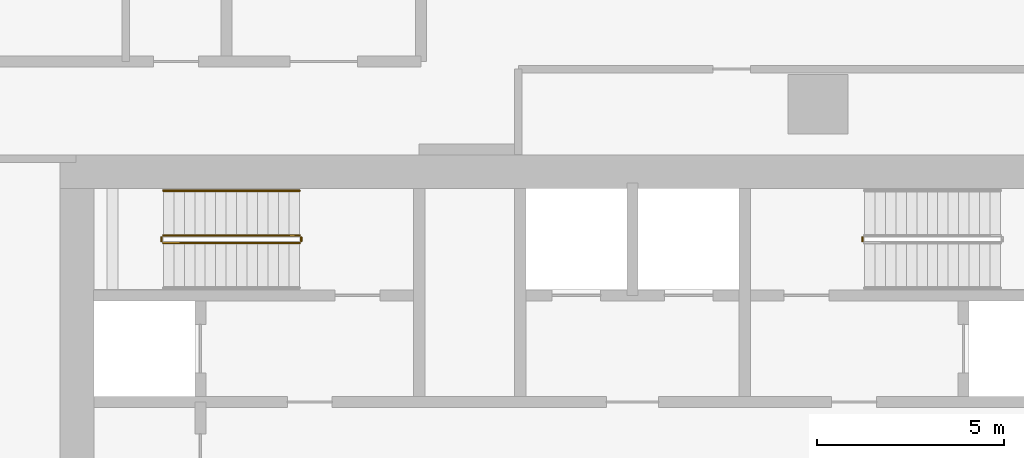
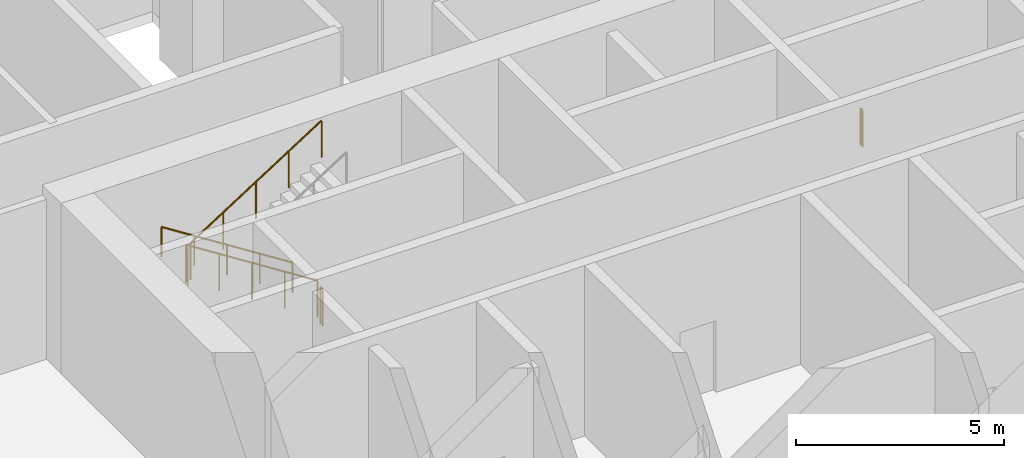
# One storey, part 22 of 33: 6 railings.
"""IFC4 building model written with IfcOpenShell, lengths in metres."""

from ifc_helpers import new_model, si_unit, direction, frame, origin, origin_2d, place, context, subcontext, project, spatial, circle, extrude, material, type_object, element, save


model = new_model("IFC4")

# Units and contexts
model_context = context("Model", 3, precision=1e-05, world=origin(), true_north=direction((0.0, 1.0)))
body_context = subcontext(model_context, "Body", "Model", "MODEL_VIEW")
ifc_project = project(units=[si_unit("LENGTHUNIT", "METRE"), si_unit("AREAUNIT", "SQUARE_METRE"), si_unit("VOLUMEUNIT", "CUBIC_METRE"), si_unit("PLANEANGLEUNIT", "RADIAN"), si_unit("MASSUNIT", "GRAM", prefix="KILO")], contexts=[model_context])

# Site, building, storey
site_placement = place(None, origin())
site = spatial("IfcSite", under=ifc_project, at=site_placement, CompositionType="ELEMENT")
building_placement = place(site_placement, origin())
building = spatial("IfcBuilding", under=site, at=building_placement, Name="Ogive Portal Towers", CompositionType="ELEMENT")
storey_placement = place(building_placement, frame((0.0, 0.0, 28.5)))
storey = spatial("IfcBuildingStorey", under=building, at=storey_placement, Name="L05", CompositionType="ELEMENT", Elevation=28.5)

# Railings
ifc_material_1 = material(Name="Stainless steel balustrade", Category="steel")
railing_type_1 = type_object("IfcRailingType", Name="INT-GUARD", PredefinedType="GUARDRAIL", material=ifc_material_1)
railing_1_placement = place(storey_placement, frame((37.449951171875, 37.800048828125, 0.178466796875)))
element("IfcRailing", 1, at=railing_1_placement, inside=storey, type_object=railing_type_1, Name="L05 ST-A1 stair guard 1", PredefinedType="GUARDRAIL", context=body_context, shape_type="SweptSolid", body=[
    extrude(circle(Radius=0.02392578125, at=origin_2d()), frame((0.0, 0.0, 1.076171875), z_axis=(-0.843111507901, 0.0, 0.53773877045), x_axis=(0.0, -1.0, 0.0)), (0.0, 0.0, 1.0), 4.317138671875),
    extrude(circle(Radius=0.02099609375, at=origin_2d()), origin(), (0.0, 0.0, 1.0), 1.052001953125),
    extrude(circle(Radius=0.02099609375, at=origin_2d()), frame((-0.909912109375, 0.0, 0.580322265625)), (0.0, 0.0, 1.0), 1.052001953125),
    extrude(circle(Radius=0.02099609375, at=origin_2d()), frame((-1.81982421875, 0.0, 1.16064453125)), (0.0, 0.0, 1.0), 1.052001953125),
    extrude(circle(Radius=0.02099609375, at=origin_2d()), frame((-2.72998046875, 0.0, 1.7412109375)), (0.0, 0.0, 1.0), 1.052001953125),
    extrude(circle(Radius=0.02099609375, at=origin_2d()), frame((-3.639892578125, 0.0, 2.321533203125)), (0.0, 0.0, 1.0), 1.052001953125),
])
railing_2_placement = place(storey_placement, frame((33.760009765625, 37.75, 2.5)))
element("IfcRailing", 2, at=railing_2_placement, inside=storey, type_object=railing_type_1, Name="L05 ST-A1 stair guard 2", PredefinedType="GUARDRAIL", context=body_context, shape_type="SweptSolid", body=[
    extrude(circle(Radius=0.02392578125, at=origin_2d()), frame((0.0, 0.0, 1.076171875), z_axis=(0.0, -1.0, 0.0), x_axis=(1.0, 0.0, 0.0)), (0.0, 0.0, 1.0), 0.10009765625),
    extrude(circle(Radius=0.02099609375, at=origin_2d()), origin(), (0.0, 0.0, 1.0), 1.052001953125),
    extrude(circle(Radius=0.02099609375, at=origin_2d()), frame((0.0, -0.10009765625, 0.0)), (0.0, 0.0, 1.0), 1.052001953125),
])
railing_3_placement = place(storey_placement, frame((33.81005859375, 37.60009765625, 2.678466796875)))
element("IfcRailing", 3, at=railing_3_placement, inside=storey, type_object=railing_type_1, Name="L05 ST-A1 stair guard 3", PredefinedType="GUARDRAIL", context=body_context, shape_type="SweptSolid", body=[
    extrude(circle(Radius=0.02392578125, at=origin_2d()), frame((0.0, 0.0, 1.076171875), z_axis=(0.843111507901, 0.0, 0.53773877045), x_axis=(0.0, 1.0, 0.0)), (0.0, 0.0, 1.0), 4.317138671875),
    extrude(circle(Radius=0.02099609375, at=origin_2d()), origin(), (0.0, 0.0, 1.0), 1.052001953125),
    extrude(circle(Radius=0.02099609375, at=origin_2d()), frame((0.909912109375, 0.0, 0.580322265625)), (0.0, 0.0, 1.0), 1.052001953125),
    extrude(circle(Radius=0.02099609375, at=origin_2d()), frame((1.81982421875, 0.0, 1.16064453125)), (0.0, 0.0, 1.0), 1.052001953125),
    extrude(circle(Radius=0.02099609375, at=origin_2d()), frame((2.72998046875, 0.0, 1.7412109375)), (0.0, 0.0, 1.0), 1.052001953125),
    extrude(circle(Radius=0.02099609375, at=origin_2d()), frame((3.639892578125, 0.0, 2.321533203125)), (0.0, 0.0, 1.0), 1.052001953125),
])
railing_4_placement = place(storey_placement, frame((37.5, 37.75, 0.0)))
element("IfcRailing", 4, at=railing_4_placement, inside=storey, type_object=railing_type_1, Name="L05 ST-A1 stair guard 4", PredefinedType="GUARDRAIL", context=body_context, shape_type="SweptSolid", body=[
    extrude(circle(Radius=0.02392578125, at=origin_2d()), frame((0.0, 0.0, 1.076171875), z_axis=(0.0, -1.0, 0.0), x_axis=(1.0, 0.0, 0.0)), (0.0, 0.0, 1.0), 0.10009765625),
    extrude(circle(Radius=0.02099609375, at=origin_2d()), origin(), (0.0, 0.0, 1.0), 1.052001953125),
    extrude(circle(Radius=0.02099609375, at=origin_2d()), frame((0.0, -0.10009765625, 0.0)), (0.0, 0.0, 1.0), 1.052001953125),
])
railing_5_placement = place(storey_placement, frame((52.5, 37.64990234375, 0.0)))
element("IfcRailing", 5, at=railing_5_placement, inside=storey, type_object=railing_type_1, Name="L05 ST-A2 stair guard 4", PredefinedType="GUARDRAIL", context=body_context, shape_type="SweptSolid", body=[
    extrude(circle(Radius=0.02392578125, at=origin_2d()), frame((0.0, 0.0, 1.076171875), z_axis=(0.0, 1.0, 0.0), x_axis=(-1.0, 0.0, 0.0)), (0.0, 0.0, 1.0), 0.10009765625),
    extrude(circle(Radius=0.02099609375, at=origin_2d()), origin(), (0.0, 0.0, 1.0), 1.052001953125),
    extrude(circle(Radius=0.02099609375, at=origin_2d()), frame((0.0, 0.10009765625, 0.0)), (0.0, 0.0, 1.0), 1.052001953125),
])
ifc_material_2 = material(Name="Stainless steel handrail", Category="steel")
railing_type_2 = type_object("IfcRailingType", Name="INT-HANDRAIL", PredefinedType="HANDRAIL", material=ifc_material_2)
railing_6_placement = place(storey_placement, frame((37.449951171875, 39.0, 0.178466796875)))
element("IfcRailing", 6, at=railing_6_placement, inside=storey, type_object=railing_type_2, Name="L05 ST-A1 stair handrail 1", PredefinedType="HANDRAIL", context=body_context, shape_type="SweptSolid", body=[
    extrude(circle(Radius=0.02392578125, at=origin_2d()), frame((0.0, 0.0, 0.8759765625), z_axis=(-0.843111507901, 0.0, 0.53773877045), x_axis=(0.0, -1.0, 0.0)), (0.0, 0.0, 1.0), 4.317138671875),
    extrude(circle(Radius=0.02099609375, at=origin_2d()), origin(), (0.0, 0.0, 1.0), 0.851806640625),
    extrude(circle(Radius=0.02099609375, at=origin_2d()), frame((-0.909912109375, 0.0, 0.580322265625)), (0.0, 0.0, 1.0), 0.851806640625),
    extrude(circle(Radius=0.02099609375, at=origin_2d()), frame((-1.81982421875, 0.0, 1.16064453125)), (0.0, 0.0, 1.0), 0.851806640625),
    extrude(circle(Radius=0.02099609375, at=origin_2d()), frame((-2.72998046875, 0.0, 1.7412109375)), (0.0, 0.0, 1.0), 0.851806640625),
    extrude(circle(Radius=0.02099609375, at=origin_2d()), frame((-3.639892578125, 0.0, 2.321533203125)), (0.0, 0.0, 1.0), 0.851806640625),
])

save(model, "model.ifc")
